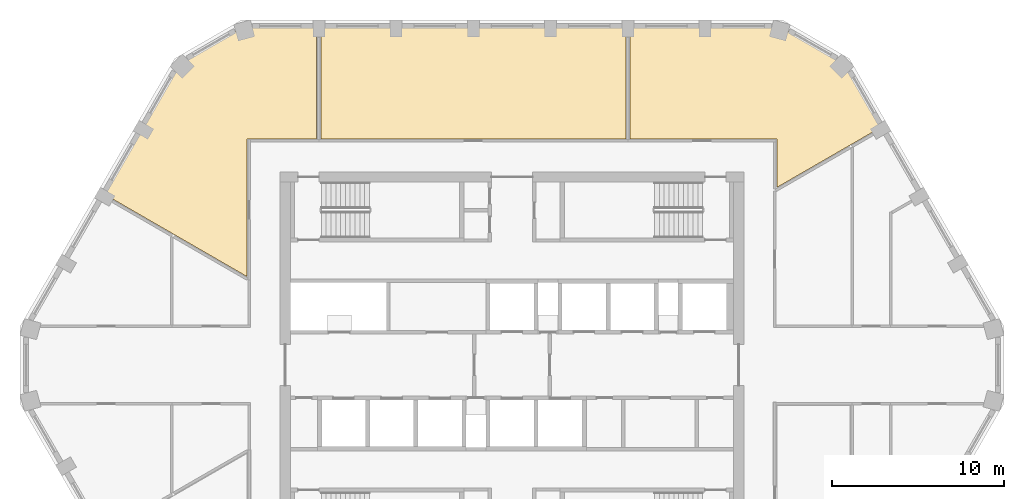
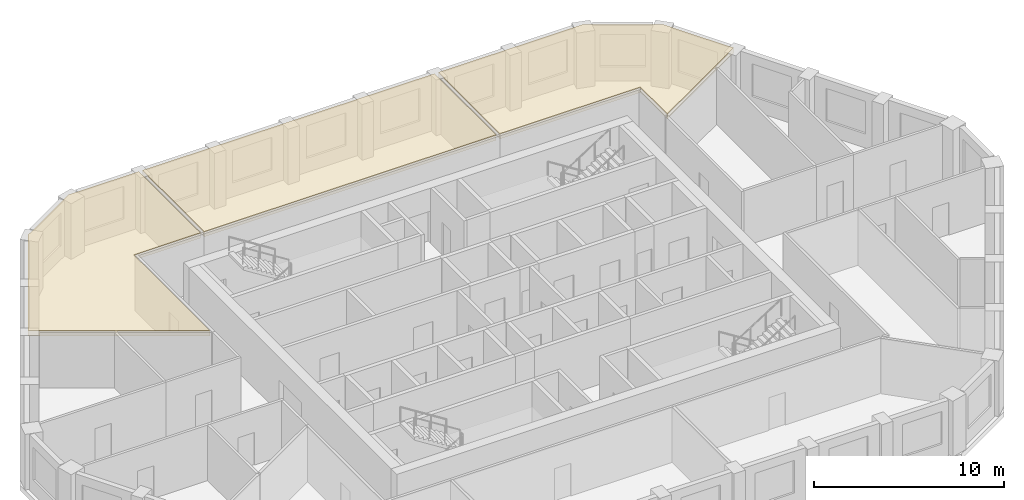
# One storey, part 11 of 11: 3 coverings.
"""IFC4 building model written with IfcOpenShell, lengths in metres."""

from ifc_helpers import new_model, si_unit, direction, frame, origin, place, context, subcontext, project, spatial, polyline, outline, extrude, material, layer, layer_set, type_object, element, save


model = new_model("IFC4")

# Units and contexts
model_context = context("Model", 3, precision=1e-05, world=origin(), true_north=direction((0.0, 1.0)))
body_context = subcontext(model_context, "Body", "Model", "MODEL_VIEW")
ifc_project = project(units=[si_unit("LENGTHUNIT", "METRE"), si_unit("AREAUNIT", "SQUARE_METRE"), si_unit("VOLUMEUNIT", "CUBIC_METRE"), si_unit("PLANEANGLEUNIT", "RADIAN"), si_unit("MASSUNIT", "GRAM", prefix="KILO")], contexts=[model_context])

# Site, building, storey
site_placement = place(None, origin())
site = spatial("IfcSite", under=ifc_project, at=site_placement, CompositionType="ELEMENT")
building_placement = place(site_placement, origin())
building = spatial("IfcBuilding", under=site, at=building_placement, Name="Dhurran Vertical Campus", CompositionType="ELEMENT")
storey_placement = place(building_placement, frame((0.0, 0.0, 274.199951171875)))
storey = spatial("IfcBuildingStorey", under=building, at=storey_placement, Name="L68", CompositionType="ELEMENT", Elevation=274.199951171875)

# Coverings
ifc_material = material(Name="Mineral fibre ceiling tiles on suspended grid")
ifc_layer = layer(ifc_material, 0.35009765625)
ifc_layer_set = layer_set([ifc_layer], Name="Mineral fibre ceiling tiles on suspended grid")
covering_type = type_object("IfcCoveringType", Name="fl-CE-350 suspended ceiling", PredefinedType="CEILING", material=ifc_layer_set)
covering_1_placement = place(storey_placement, frame((0.0, 0.0, 3.22509765625)))
element("IfcCovering", 1, at=covering_1_placement, inside=storey, type_object=covering_type, Name="Ceiling 68-08", PredefinedType="CEILING", context=body_context, shape_type="SweptSolid", body=[
    extrude(outline(polyline([(-23.722900390625, 9.93798828125), (-19.339111328125, 17.531005859375), (-15.637939453125, 19.66796875), (-11.3701171875, 19.66796875), (-11.3701171875, 13.169921875), (-15.419921875, 13.169921875), (-15.419921875, 5.14404296875), (-23.722900390625, 9.93798828125)])), origin(), (0.0, 0.0, 1.0), 0.349853515625),
])
covering_2_placement = place(storey_placement, frame((0.0, 0.0, 3.22509765625)))
element("IfcCovering", 2, at=covering_2_placement, inside=storey, type_object=covering_type, Name="Ceiling 68-10", PredefinedType="CEILING", context=body_context, shape_type="SweptSolid", body=[
    extrude(outline(polyline([(-11.1298828125, 19.66796875), (6.6298828125, 19.66796875), (6.6298828125, 13.169921875), (-11.1298828125, 13.169921875), (-11.1298828125, 19.66796875)])), origin(), (0.0, 0.0, 1.0), 0.349853515625),
])
covering_3_placement = place(storey_placement, frame((0.0, 0.0, 3.22509765625)))
element("IfcCovering", 3, at=covering_3_placement, inside=storey, type_object=covering_type, Name="Ceiling 68-12", PredefinedType="CEILING", context=body_context, shape_type="SweptSolid", body=[
    extrude(outline(polyline([(6.8701171875, 19.66796875), (15.637939453125, 19.66796875), (19.339111328125, 17.531005859375), (21.472900390625, 13.8349609375), (15.419921875, 10.340087890625), (15.419921875, 13.169921875), (6.8701171875, 13.169921875), (6.8701171875, 19.66796875)])), origin(), (0.0, 0.0, 1.0), 0.349853515625),
])

save(model, "model.ifc")
